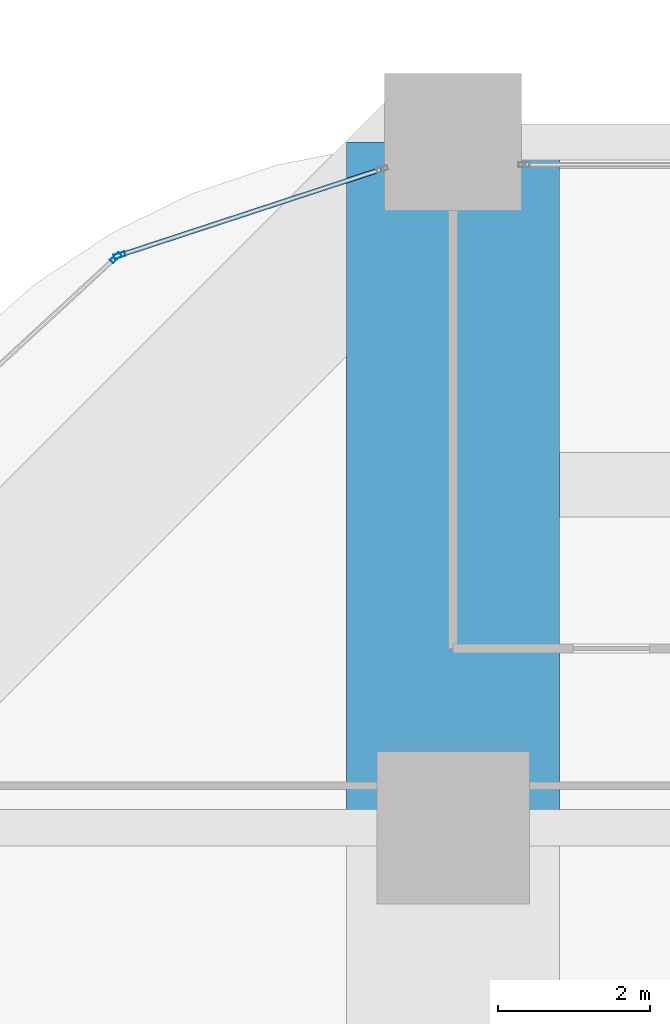
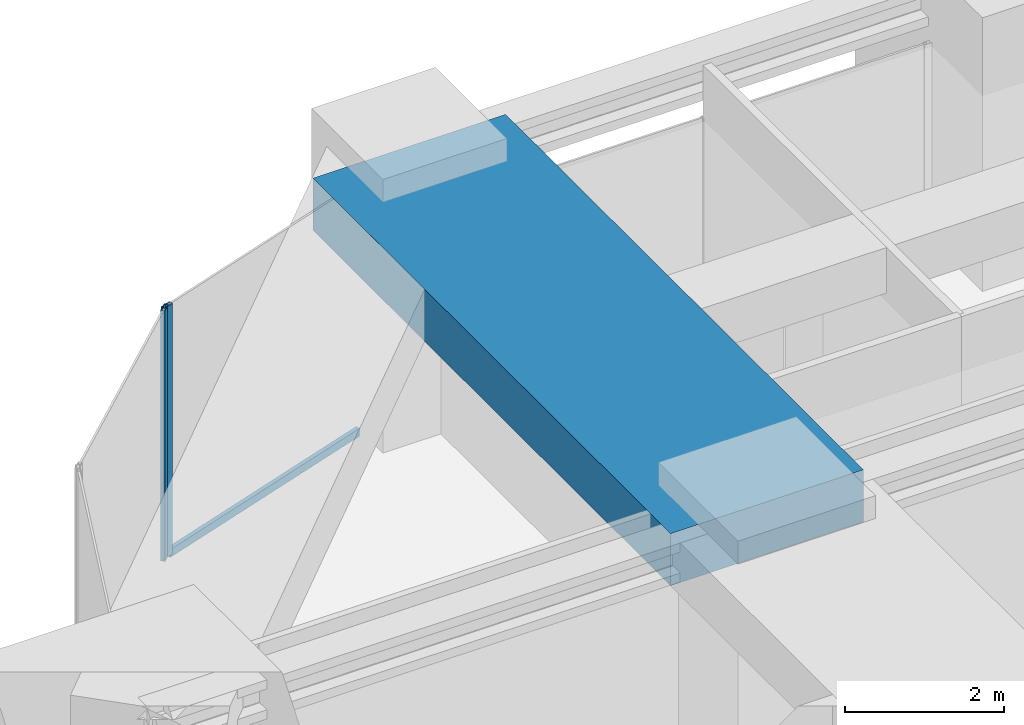
# One storey, part 31 of 45: 3 members, 1 beam, 2 elements without a shape of their own.
"""IFC4 building model written with IfcOpenShell, lengths in metres."""

from ifc_helpers import new_model, si_unit, direction, frame, origin, origin_2d, place, context, subcontext, project, spatial, rectangle, hollow_rectangle, extrude, material, material_profile, profile_set, type_object, element, aggregate, save


model = new_model("IFC4")

# Units and contexts
model_context = context("Model", 3, precision=1e-05, world=origin(), true_north=direction((0.0, 1.0)))
body_context = subcontext(model_context, "Body", "Model", "MODEL_VIEW")
ifc_project = project(units=[si_unit("LENGTHUNIT", "METRE"), si_unit("AREAUNIT", "SQUARE_METRE"), si_unit("VOLUMEUNIT", "CUBIC_METRE"), si_unit("PLANEANGLEUNIT", "RADIAN"), si_unit("MASSUNIT", "GRAM", prefix="KILO")], contexts=[model_context])

# Site, building, storey
site_placement = place(None, origin())
site = spatial("IfcSite", under=ifc_project, at=site_placement, CompositionType="ELEMENT")
building_placement = place(site_placement, origin())
building = spatial("IfcBuilding", under=site, at=building_placement, Name="Zorevar Civic Tower", CompositionType="ELEMENT")
storey_placement = place(building_placement, frame((0.0, 0.0, 153.0)))
storey = spatial("IfcBuildingStorey", under=building, at=storey_placement, Name="L37", CompositionType="ELEMENT", Elevation=153.0)

# Beam
ifc_material_1 = material(Name="Concrete C50/60", Category="concrete")
ifc_material_profile_1 = material_profile(ifc_material_1, rectangle(XDim=2.800048828125, YDim=0.800048828125, at=origin_2d()), Name="RC 2800x800")
ifc_profile_set_1 = profile_set([ifc_material_profile_1], Name="Concrete C50/60")
beam_type = type_object("IfcBeamType", Name="Beam RC 2800x800", PredefinedType="BEAM", material=ifc_profile_set_1)
beam_placement = place(storey_placement, frame((9.0, 36.0, 3.449951171875), z_axis=(0.0, 1.0, 0.0), x_axis=(-1.0, 0.0, 0.0)))
element("IfcBeam", 1, at=beam_placement, inside=storey, type_object=beam_type, Name="Girder L38", PredefinedType="BEAM", context=body_context, shape_type="SweptSolid", body=[
    extrude(rectangle(XDim=2.800048828125, YDim=0.800048828125, at=origin_2d()), origin(), (0.0, 0.0, 1.0), 9.0),
])

# Curtain wall, member
ifc_material_2 = material(Name="Dark grey solar-control glass in black aluminium frame", Category="aluminium")
curtain_wall_type = type_object("IfcCurtainWallType", Name="Curtain wall CW3 mid zone", PredefinedType="NOTDEFINED", material=ifc_material_2)
curtain_wall_1_placement = place(storey_placement, origin())
curtain_wall_1 = element("IfcCurtainWall", 2, at=curtain_wall_1_placement, inside=storey, type_object=curtain_wall_type, Name="CW3 L37", PredefinedType="NOTDEFINED")
ifc_material_3 = material(Name="Aluminium, black anodised", Category="aluminium")
ifc_material_profile_2 = material_profile(ifc_material_3, hollow_rectangle(XDim=0.06005859375, YDim=0.14990234375, WallThickness=0.00390625, at=origin_2d()), Name="AL 150x60x4")
ifc_profile_set_2 = profile_set([ifc_material_profile_2], Name="Aluminium, black anodised")
member_type_1 = type_object("IfcMemberType", Name="CW3 mullion AL 150x60x4", PredefinedType="MULLION", material=ifc_profile_set_2)
member_1_placement = place(storey_placement, frame((4.62255859375, 43.51123046875, 0.0), z_axis=(0.0, 0.0, 1.0), x_axis=(0.31203637361, -0.950070156117, 0.0)))
member_1 = element("IfcMember", 3, at=member_1_placement, type_object=member_type_1, Name="CW3 mullion 2", PredefinedType="MULLION", context=body_context, shape_type="SweptSolid", body=[
    extrude(hollow_rectangle(XDim=0.06005859375, YDim=0.14990234375, WallThickness=0.00390625, at=origin_2d()), origin(), (0.0, 0.0, 1.0), 3.85009765625),
])

curtain_wall_2_placement = place(storey_placement, origin())
curtain_wall_2 = element("IfcCurtainWall", 4, at=curtain_wall_2_placement, inside=storey, type_object=curtain_wall_type, Name="CW3 L37", PredefinedType="NOTDEFINED")
member_2_placement = place(storey_placement, frame((4.572021484375, 43.4814453125, 0.0), z_axis=(0.0, 0.0, 1.0), x_axis=(0.677777450165, -0.7352671134, 0.0)))
member_2 = element("IfcMember", 5, at=member_2_placement, type_object=member_type_1, Name="CW3 mullion 1", PredefinedType="MULLION", context=body_context, shape_type="SweptSolid", body=[
    extrude(hollow_rectangle(XDim=0.06005859375, YDim=0.14990234375, WallThickness=0.00390625, at=origin_2d()), origin(), (0.0, 0.0, 1.0), 3.85009765625),
])
aggregate(curtain_wall_2, [member_2])

# Member
ifc_material_4 = material(Name="Aluminium, black anodised", Category="aluminium")
ifc_material_profile_3 = material_profile(ifc_material_4, hollow_rectangle(XDim=0.06005859375, YDim=0.1201171875, WallThickness=0.0029296875, at=origin_2d()), Name="AL 120x60x3")
ifc_profile_set_3 = profile_set([ifc_material_profile_3], Name="Aluminium, black anodised")
member_type_2 = type_object("IfcMemberType", Name="CW3 transom AL 120x60x3", PredefinedType="USERDEFINED", material=ifc_profile_set_3)
member_3_placement = place(storey_placement, frame((8.04296875, 44.634521484375, 0.030029296875), z_axis=(-0.950069115138, -0.312039543106, 0.0), x_axis=(0.312039543106, -0.950069115138, 0.0)))
member_3 = element("IfcMember", 6, at=member_3_placement, type_object=member_type_2, Name="CW3 sill transom", ObjectType="TRANSOM", PredefinedType="USERDEFINED", context=body_context, shape_type="SweptSolid", body=[
    extrude(hollow_rectangle(XDim=0.06005859375, YDim=0.1201171875, WallThickness=0.0029296875, at=origin_2d()), origin(), (0.0, 0.0, 1.0), 3.570068359375),
])

aggregate(curtain_wall_1, [member_1, member_3])

save(model, "model.ifc")
